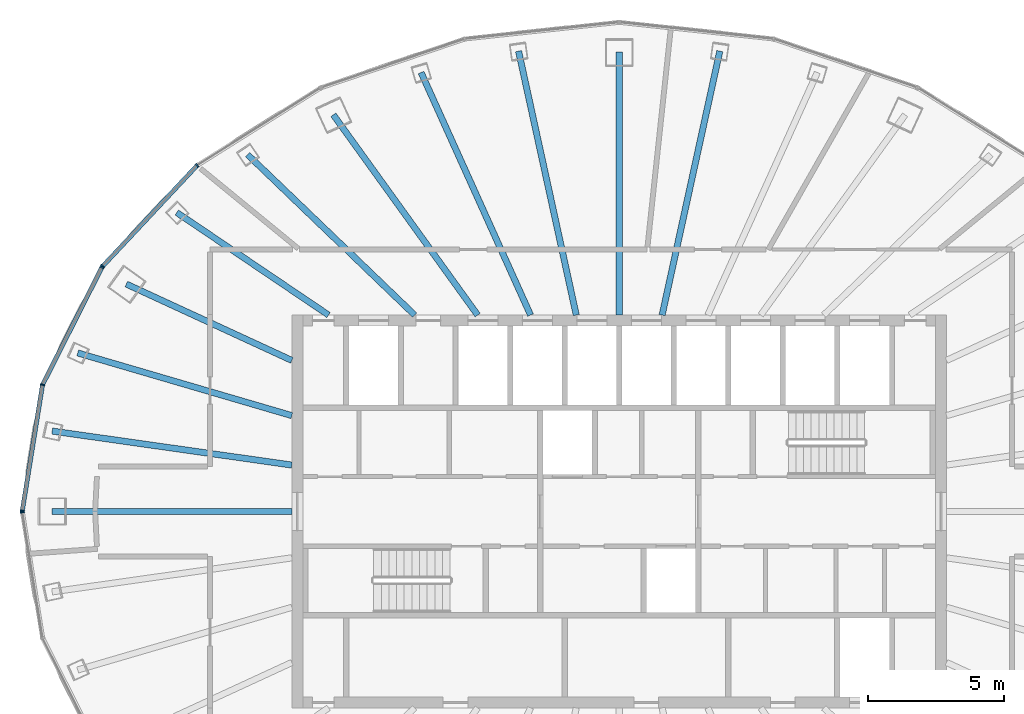
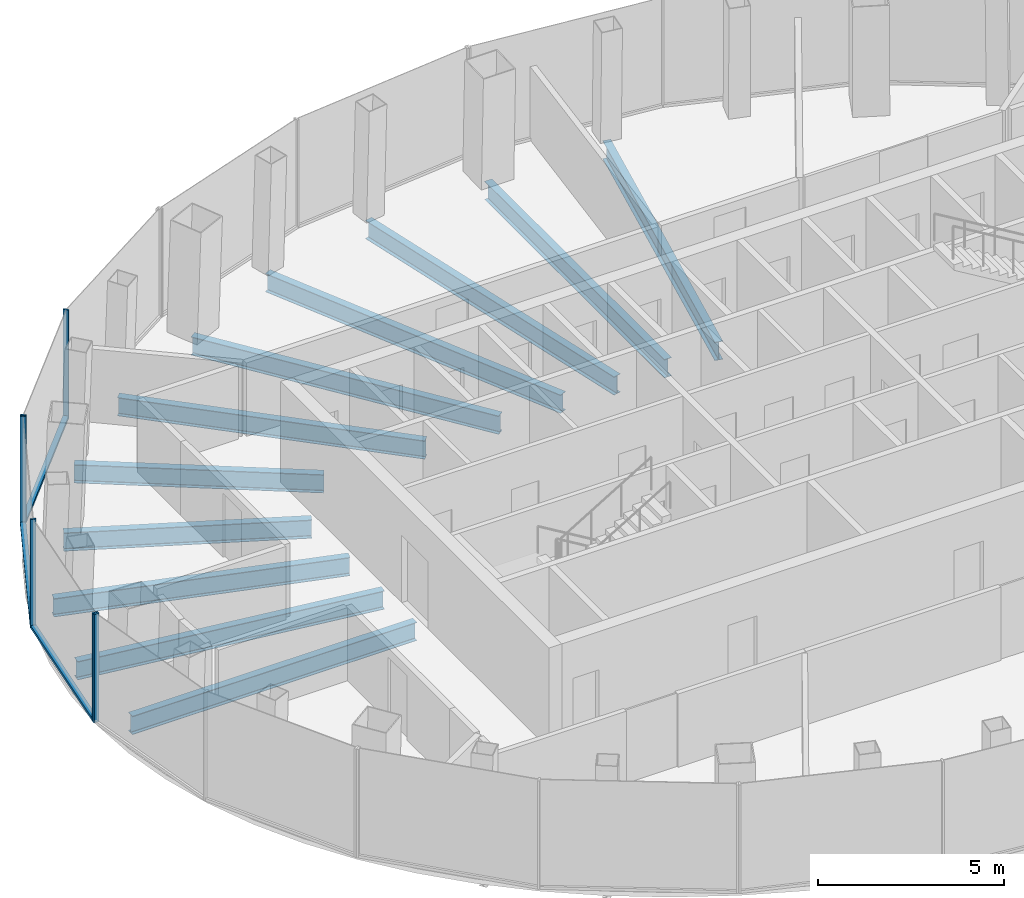
# One storey, part 4 of 11: 11 beams, 9 members, 3 elements without a shape of their own.
"""IFC4 building model written with IfcOpenShell, lengths in metres."""

from ifc_helpers import new_model, si_unit, direction, frame, origin, origin_2d, place, context, subcontext, project, spatial, rectangle, i_section, extrude, material, layer, layer_set, material_profile, profile_set, type_object, element, aggregate, save


model = new_model("IFC4")

# Units and contexts
model_context = context("Model", 3, precision=1e-05, world=origin(), true_north=direction((0.0, 1.0)))
body_context = subcontext(model_context, "Body", "Model", "MODEL_VIEW")
ifc_project = project(units=[si_unit("LENGTHUNIT", "METRE"), si_unit("AREAUNIT", "SQUARE_METRE"), si_unit("VOLUMEUNIT", "CUBIC_METRE"), si_unit("PLANEANGLEUNIT", "RADIAN"), si_unit("MASSUNIT", "GRAM", prefix="KILO")], contexts=[model_context])

# Site, building, storey
site_placement = place(None, origin())
site = spatial("IfcSite", under=ifc_project, at=site_placement, CompositionType="ELEMENT")
building_placement = place(site_placement, origin())
building = spatial("IfcBuilding", under=site, at=building_placement, Name="Siaravel Broadcast Tower", CompositionType="ELEMENT")
storey_placement = place(building_placement, frame((0.0, 0.0, 220.800048828125)))
storey = spatial("IfcBuildingStorey", under=building, at=storey_placement, Name="L53", CompositionType="ELEMENT", Elevation=220.800048828125)

# Beams
ifc_material_1 = material(Name="Steel S355", Category="steel")
ifc_material_profile_1 = material_profile(ifc_material_1, i_section(OverallWidth=0.2275390625, OverallDepth=0.6025390625, WebThickness=0.010498046875, FlangeThickness=0.014892578125, FilletRadius=0.0126953125, at=origin_2d()))
ifc_profile_set_1 = profile_set([ifc_material_profile_1], Name="Steel S355")
beam_type = type_object("IfcBeamType", Name="BM-UB 610x229x101", PredefinedType="BEAM", material=ifc_profile_set_1)
beam_1_placement = place(storey_placement, frame((3.688720703125, 16.87451171875, -0.451416015625), z_axis=(-0.213546154, -0.976932976, 0.0), x_axis=(0.976932976, -0.213546154, 0.0)))
element("IfcBeam", 1, at=beam_1_placement, inside=storey, type_object=beam_type, Name="Radial beam RB09", PredefinedType="BEAM", context=body_context, shape_type="SweptSolid", body=[
    extrude(i_section(OverallWidth=0.2275390625, OverallDepth=0.6025390625, WebThickness=0.010498046875, FlangeThickness=0.014892578125, FilletRadius=0.0126953125, at=origin_2d()), origin(), (0.0, 0.0, 1.0), 9.903076171875),
])
beam_2_placement = place(storey_placement, frame((0.0, 16.838623046875, -0.451416015625), z_axis=(0.0, -1.0, 0.0), x_axis=(1.0, 0.0, 0.0)))
element("IfcBeam", 2, at=beam_2_placement, inside=storey, type_object=beam_type, Name="Radial beam RB10", PredefinedType="BEAM", context=body_context, shape_type="SweptSolid", body=[
    extrude(i_section(OverallWidth=0.2275390625, OverallDepth=0.6025390625, WebThickness=0.010498046875, FlangeThickness=0.014892578125, FilletRadius=0.0126953125, at=origin_2d()), origin(), (0.0, 0.0, 1.0), 9.638671875),
])
beam_3_placement = place(storey_placement, frame((-3.688720703125, 16.87451171875, -0.451416015625), z_axis=(0.213546154, -0.976932976, 0.0), x_axis=(0.976932976, 0.213546154, 0.0)))
element("IfcBeam", 3, at=beam_3_placement, inside=storey, type_object=beam_type, Name="Radial beam RB11", PredefinedType="BEAM", context=body_context, shape_type="SweptSolid", body=[
    extrude(i_section(OverallWidth=0.2275390625, OverallDepth=0.6025390625, WebThickness=0.010498046875, FlangeThickness=0.014892578125, FilletRadius=0.0126953125, at=origin_2d()), origin(), (0.0, 0.0, 1.0), 9.903076171875),
])
beam_4_placement = place(storey_placement, frame((-7.26171875, 16.09033203125, -0.451416015625), z_axis=(0.411347958, -0.911478391, 0.0), x_axis=(0.911478391, 0.411347958, 0.0)))
element("IfcBeam", 4, at=beam_4_placement, inside=storey, type_object=beam_type, Name="Radial beam RB12", PredefinedType="BEAM", context=body_context, shape_type="SweptSolid", body=[
    extrude(i_section(OverallWidth=0.2275390625, OverallDepth=0.6025390625, WebThickness=0.010498046875, FlangeThickness=0.014892578125, FilletRadius=0.0126953125, at=origin_2d()), origin(), (0.0, 0.0, 1.0), 9.75390625),
])
beam_5_placement = place(storey_placement, frame((-10.479736328125, 14.541015625, -0.451416015625), z_axis=(0.584665734, -0.811274294, 0.0), x_axis=(0.811274294, 0.584665734, 0.0)))
element("IfcBeam", 5, at=beam_5_placement, inside=storey, type_object=beam_type, Name="Radial beam RB13", PredefinedType="BEAM", context=body_context, shape_type="SweptSolid", body=[
    extrude(i_section(OverallWidth=0.2275390625, OverallDepth=0.6025390625, WebThickness=0.010498046875, FlangeThickness=0.014892578125, FilletRadius=0.0126953125, at=origin_2d()), origin(), (0.0, 0.0, 1.0), 9.048828125),
])
beam_6_placement = place(storey_placement, frame((-13.6240234375, 13.08251953125, -0.451416015625), z_axis=(0.721291383, -0.69263175, 0.0), x_axis=(0.69263175, 0.721291383, 0.0)))
element("IfcBeam", 6, at=beam_6_placement, inside=storey, type_object=beam_type, Name="Radial beam RB14", PredefinedType="BEAM", context=body_context, shape_type="SweptSolid", body=[
    extrude(i_section(OverallWidth=0.2275390625, OverallDepth=0.6025390625, WebThickness=0.010498046875, FlangeThickness=0.014892578125, FilletRadius=0.0126953125, at=origin_2d()), origin(), (0.0, 0.0, 1.0), 8.4931640625),
])
beam_7_placement = place(storey_placement, frame((-16.2177734375, 10.958251953125, -0.451416015625), z_axis=(0.828587601, -0.559859436, 0.0), x_axis=(0.559859436, 0.828587601, 0.0)))
element("IfcBeam", 7, at=beam_7_placement, inside=storey, type_object=beam_type, Name="Radial beam RB15", PredefinedType="BEAM", context=body_context, shape_type="SweptSolid", body=[
    extrude(i_section(OverallWidth=0.2275390625, OverallDepth=0.6025390625, WebThickness=0.010498046875, FlangeThickness=0.014892578125, FilletRadius=0.0126953125, at=origin_2d()), origin(), (0.0, 0.0, 1.0), 6.712890625),
])
beam_8_placement = place(storey_placement, frame((-18.06689453125, 8.335693359375, -0.451416015625), z_axis=(0.908018196, -0.418930729, 0.0), x_axis=(0.418930729, 0.908018196, 0.0)))
element("IfcBeam", 8, at=beam_8_placement, inside=storey, type_object=beam_type, Name="Radial beam RB16", PredefinedType="BEAM", context=body_context, shape_type="SweptSolid", body=[
    extrude(i_section(OverallWidth=0.2275390625, OverallDepth=0.6025390625, WebThickness=0.010498046875, FlangeThickness=0.014892578125, FilletRadius=0.0126953125, at=origin_2d()), origin(), (0.0, 0.0, 1.0), 6.681396484375),
])
beam_9_placement = place(storey_placement, frame((-19.848388671875, 5.810546875, -0.451416015625), z_axis=(0.959720327, -0.280957103, 0.0), x_axis=(0.280957103, 0.959720327, 0.0)))
element("IfcBeam", 9, at=beam_9_placement, inside=storey, type_object=beam_type, Name="Radial beam RB17", PredefinedType="BEAM", context=body_context, shape_type="SweptSolid", body=[
    extrude(i_section(OverallWidth=0.2275390625, OverallDepth=0.6025390625, WebThickness=0.010498046875, FlangeThickness=0.014892578125, FilletRadius=0.0126953125, at=origin_2d()), origin(), (0.0, 0.0, 1.0), 8.177734375),
])
beam_10_placement = place(storey_placement, frame((-20.785400390625, 2.94677734375, -0.451416015625), z_axis=(0.99009807, -0.140377389, 0.0), x_axis=(0.140377389, 0.99009807, 0.0)))
element("IfcBeam", 10, at=beam_10_placement, inside=storey, type_object=beam_type, Name="Radial beam RB18", PredefinedType="BEAM", context=body_context, shape_type="SweptSolid", body=[
    extrude(i_section(OverallWidth=0.2275390625, OverallDepth=0.6025390625, WebThickness=0.010498046875, FlangeThickness=0.014892578125, FilletRadius=0.0126953125, at=origin_2d()), origin(), (0.0, 0.0, 1.0), 8.873291015625),
])
beam_11_placement = place(storey_placement, frame((-20.80029296875, 0.0, -0.451416015625), z_axis=(1.0, 0.0, 0.0), x_axis=(0.0, 1.0, 0.0)))
element("IfcBeam", 11, at=beam_11_placement, inside=storey, type_object=beam_type, Name="Radial beam RB19", PredefinedType="BEAM", context=body_context, shape_type="SweptSolid", body=[
    extrude(i_section(OverallWidth=0.2275390625, OverallDepth=0.6025390625, WebThickness=0.010498046875, FlangeThickness=0.014892578125, FilletRadius=0.0126953125, at=origin_2d()), origin(), (0.0, 0.0, 1.0), 8.80029296875),
])

# Curtain wall, members
ifc_material_2 = material(Name="Aluminium 6063-T6", Category="aluminium")
ifc_layer = layer(ifc_material_2, 0.159912109375)
ifc_layer_set = layer_set([ifc_layer], Name="Aluminium 6063-T6")
curtain_wall_type = type_object("IfcCurtainWallType", Name="Unitised curtain wall, zone 4", PredefinedType="NOTDEFINED", material=ifc_layer_set)
curtain_wall_1_placement = place(storey_placement, origin())
curtain_wall_1 = element("IfcCurtainWall", 12, at=curtain_wall_1_placement, inside=storey, type_object=curtain_wall_type, Name="L53 Unitised curtain wall, zone 4 05", PredefinedType="NOTDEFINED")
ifc_material_profile_2 = material_profile(ifc_material_2, rectangle(XDim=0.159912109375, YDim=0.054931640625, at=origin_2d()))
ifc_profile_set_2 = profile_set([ifc_material_profile_2], Name="Aluminium 6063-T6")
member_type_1 = type_object("IfcMemberType", Name="CW-Z4 mullion", PredefinedType="MULLION", material=ifc_profile_set_2)
member_1_placement = place(storey_placement, frame((-15.47216796875, 12.686279296875, 0.0), z_axis=(0.0, 0.0, 1.0), x_axis=(0.636219575, -0.771508038, 0.0)))
member_1 = element("IfcMember", 13, at=member_1_placement, type_object=member_type_1, Name="CW-Z4 mullion 2", PredefinedType="MULLION", context=body_context, shape_type="SweptSolid", body=[
    extrude(rectangle(XDim=0.159912109375, YDim=0.054931640625, at=origin_2d()), origin(), (0.0, 0.0, 1.0), 3.550048828125),
])
member_2_placement = place(storey_placement, frame((-18.932861328125, 8.991943359375, 0.0), z_axis=(0.0, 0.0, 1.0), x_axis=(0.729806178, -0.68365411, 0.0)))
member_2 = element("IfcMember", 14, at=member_2_placement, type_object=member_type_1, Name="CW-Z4 mullion 3", PredefinedType="MULLION", context=body_context, shape_type="SweptSolid", body=[
    extrude(rectangle(XDim=0.159912109375, YDim=0.054931640625, at=origin_2d()), origin(), (0.0, 0.0, 1.0), 3.550048828125),
])

curtain_wall_2_placement = place(storey_placement, origin())
curtain_wall_2 = element("IfcCurtainWall", 15, at=curtain_wall_2_placement, inside=storey, type_object=curtain_wall_type, Name="L53 Unitised curtain wall, zone 4 06", PredefinedType="NOTDEFINED")
member_3_placement = place(storey_placement, frame((-18.964111328125, 8.947509765625, 0.0), z_axis=(0.0, 0.0, 1.0), x_axis=(0.892392673, -0.451259701, 0.0)))
member_3 = element("IfcMember", 16, at=member_3_placement, type_object=member_type_1, Name="CW-Z4 mullion 1", PredefinedType="MULLION", context=body_context, shape_type="SweptSolid", body=[
    extrude(rectangle(XDim=0.159912109375, YDim=0.054931640625, at=origin_2d()), origin(), (0.0, 0.0, 1.0), 3.550048828125),
])
member_4_placement = place(storey_placement, frame((-21.1396484375, 4.64501953125, 0.0), z_axis=(0.0, 0.0, 1.0), x_axis=(0.951177504, -0.308644385, 0.0)))
member_4 = element("IfcMember", 17, at=member_4_placement, type_object=member_type_1, Name="CW-Z4 mullion 2", PredefinedType="MULLION", context=body_context, shape_type="SweptSolid", body=[
    extrude(rectangle(XDim=0.159912109375, YDim=0.054931640625, at=origin_2d()), origin(), (0.0, 0.0, 1.0), 3.550048828125),
])
member_5_placement = place(storey_placement, frame((-21.8818359375, 0.027099609375, 0.0), z_axis=(0.0, 0.0, 1.0), x_axis=(0.987329271, -0.158684943, 0.0)))
member_5 = element("IfcMember", 18, at=member_5_placement, type_object=member_type_1, Name="CW-Z4 mullion 3", PredefinedType="MULLION", context=body_context, shape_type="SweptSolid", body=[
    extrude(rectangle(XDim=0.159912109375, YDim=0.054931640625, at=origin_2d()), origin(), (0.0, 0.0, 1.0), 3.550048828125),
])

# Curtain wall, member
curtain_wall_3_placement = place(storey_placement, origin())
curtain_wall_3 = element("IfcCurtainWall", 19, at=curtain_wall_3_placement, inside=storey, type_object=curtain_wall_type, Name="L53 Unitised curtain wall, zone 4 07", PredefinedType="NOTDEFINED")
member_6_placement = place(storey_placement, frame((-21.8818359375, -0.027099609375, 0.0), z_axis=(0.0, 0.0, 1.0), x_axis=(0.987329271, 0.158684943, 0.0)))
member_6 = element("IfcMember", 20, at=member_6_placement, type_object=member_type_1, Name="CW-Z4 mullion 1", PredefinedType="MULLION", context=body_context, shape_type="SweptSolid", body=[
    extrude(rectangle(XDim=0.159912109375, YDim=0.054931640625, at=origin_2d()), origin(), (0.0, 0.0, 1.0), 3.550048828125),
])
aggregate(curtain_wall_3, [member_6])

# Member
ifc_material_profile_3 = material_profile(ifc_material_2, rectangle(XDim=0.159912109375, YDim=0.090087890625, at=origin_2d()))
ifc_profile_set_3 = profile_set([ifc_material_profile_3], Name="Aluminium 6063-T6")
member_type_2 = type_object("IfcMemberType", Name="CW-Z4 transom", PredefinedType="USERDEFINED", material=ifc_profile_set_3)
member_7_placement = place(storey_placement, frame((-15.490966796875, 12.666015625, 0.044921875), z_axis=(-0.683691298, -0.72977134, 0.0), x_axis=(0.72977134, -0.683691298, 0.0)))
member_7 = element("IfcMember", 21, at=member_7_placement, type_object=member_type_2, Name="CW-Z4 transom 2", ObjectType="TRANSOM", PredefinedType="USERDEFINED", context=body_context, shape_type="SweptSolid", body=[
    extrude(rectangle(XDim=0.159912109375, YDim=0.090087890625, at=origin_2d()), origin(), (0.0, 0.0, 1.0), 5.0068359375),
])

aggregate(curtain_wall_1, [member_1, member_2, member_7])

member_8_placement = place(storey_placement, frame((-18.976318359375, 8.9228515625, 0.044921875), z_axis=(-0.451265777, -0.8923896, 0.0), x_axis=(0.8923896, -0.451265777, 0.0)))
member_8 = element("IfcMember", 22, at=member_8_placement, type_object=member_type_2, Name="CW-Z4 transom 1", ObjectType="TRANSOM", PredefinedType="USERDEFINED", context=body_context, shape_type="SweptSolid", body=[
    extrude(rectangle(XDim=0.159912109375, YDim=0.090087890625, at=origin_2d()), origin(), (0.0, 0.0, 1.0), 4.766357421875),
])

member_9_placement = place(storey_placement, frame((-21.14404296875, 4.61767578125, 0.044921875), z_axis=(-0.158674417, -0.987330962, 0.0), x_axis=(0.987330962, -0.158674417, 0.0)))
member_9 = element("IfcMember", 23, at=member_9_placement, type_object=member_type_2, Name="CW-Z4 transom 2", ObjectType="TRANSOM", PredefinedType="USERDEFINED", context=body_context, shape_type="SweptSolid", body=[
    extrude(rectangle(XDim=0.159912109375, YDim=0.090087890625, at=origin_2d()), origin(), (0.0, 0.0, 1.0), 4.6220703125),
])

aggregate(curtain_wall_2, [member_3, member_4, member_5, member_8, member_9])

save(model, "model.ifc")
